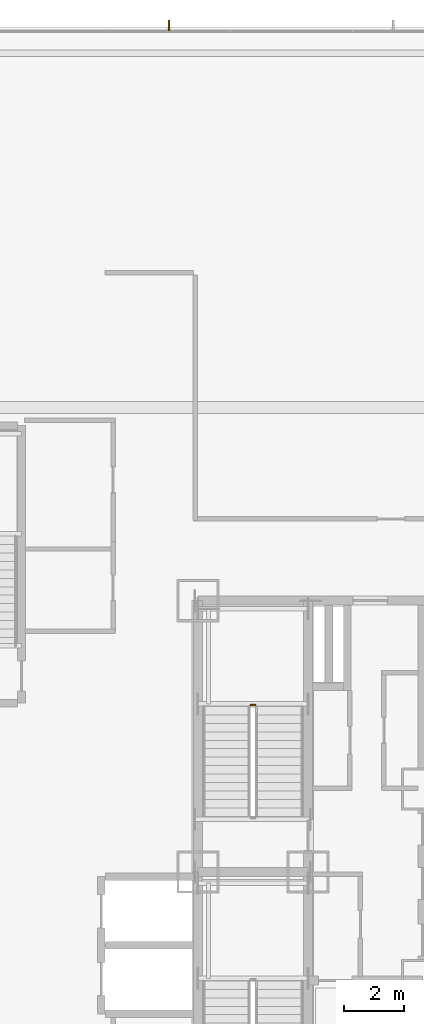
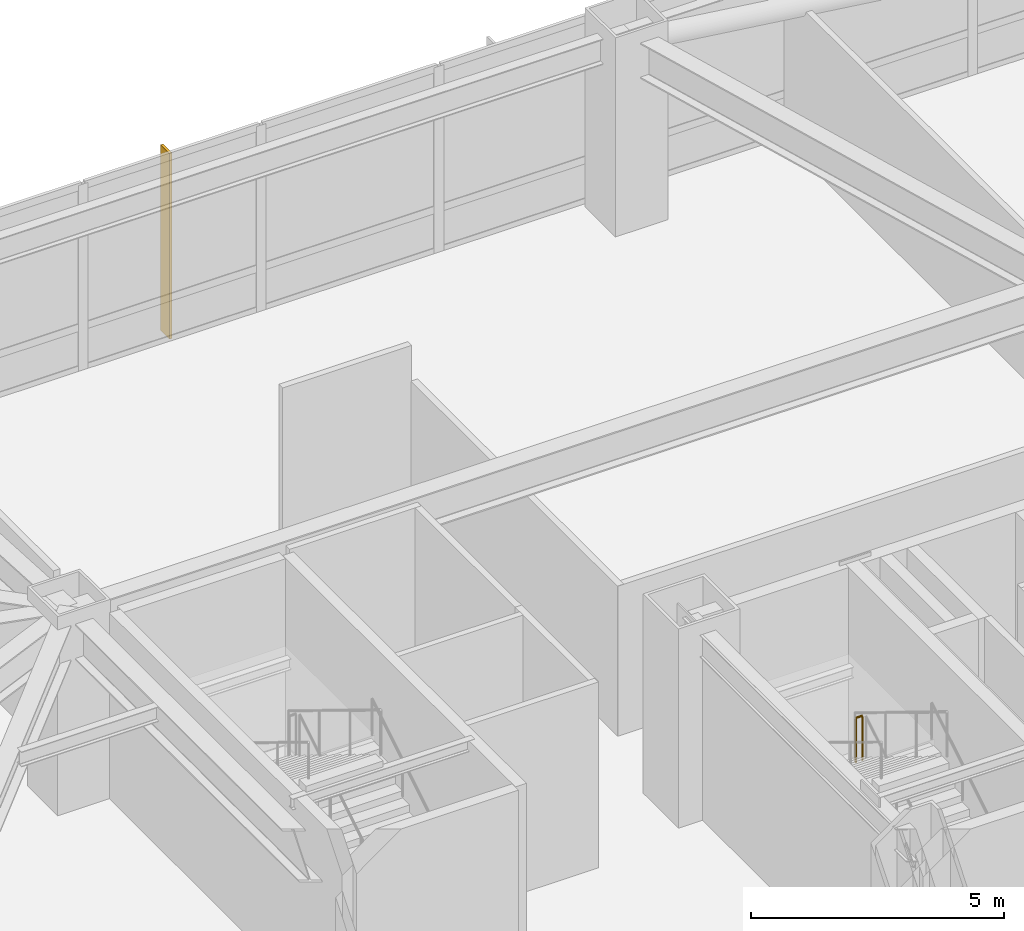
# One storey, part 32 of 33: 1 railing, 1 shading device.
"""IFC4 building model written with IfcOpenShell, lengths in metres."""

from ifc_helpers import new_model, si_unit, direction, frame, origin, origin_2d, place, context, subcontext, project, spatial, rectangle, circle, extrude, material, type_object, element, save


model = new_model("IFC4")

# Units and contexts
model_context = context("Model", 3, precision=1e-05, world=origin(), true_north=direction((0.0, 1.0)))
body_context = subcontext(model_context, "Body", "Model", "MODEL_VIEW")
ifc_project = project(units=[si_unit("LENGTHUNIT", "METRE"), si_unit("AREAUNIT", "SQUARE_METRE"), si_unit("VOLUMEUNIT", "CUBIC_METRE"), si_unit("PLANEANGLEUNIT", "RADIAN"), si_unit("MASSUNIT", "GRAM", prefix="KILO")], contexts=[model_context])

# Site, building, storey
site_placement = place(None, origin())
site = spatial("IfcSite", under=ifc_project, at=site_placement, CompositionType="ELEMENT")
building_placement = place(site_placement, origin())
building = spatial("IfcBuilding", under=site, at=building_placement, Name="Khamvora Tower", CompositionType="ELEMENT")
storey_placement = place(building_placement, frame((0.0, 0.0, 7.199951171875)))
storey = spatial("IfcBuildingStorey", under=building, at=storey_placement, Name="L01", CompositionType="ELEMENT", Elevation=7.199951171875)

# Railing
ifc_material_1 = material(Name="Stainless Steel 316", Category="steel")
railing_type = type_object("IfcRailingType", Name="RAL-STG-1100", PredefinedType="GUARDRAIL", material=ifc_material_1)
railing_placement = place(storey_placement, frame((30.89990234375, 33.5400390625, 2.400146484375)))
element("IfcRailing", 1, at=railing_placement, inside=storey, type_object=railing_type, Name="L01 ST-02 stair guard 2", PredefinedType="GUARDRAIL", context=body_context, shape_type="SweptSolid", body=[
    extrude(circle(Radius=0.02392578125, at=origin_2d()), frame((0.0, 0.0, 1.076171875), z_axis=(-1.0, 0.0, 0.0), x_axis=(0.0, -1.0, 0.0)), (0.0, 0.0, 1.0), 0.14990234375),
    extrude(circle(Radius=0.02099609375, at=origin_2d()), origin(), (0.0, 0.0, 1.0), 1.052001953125),
    extrude(circle(Radius=0.02099609375, at=origin_2d()), frame((-0.14990234375, 0.0, 0.0)), (0.0, 0.0, 1.0), 1.052001953125),
])

# Shading device
ifc_material_2 = material(Name="Anodised Bronze Aluminium 6063-T6", Category="aluminium")
shading_device_type = type_object("IfcShadingDeviceType", Name="SHD-FIN-350", PredefinedType="USERDEFINED", material=ifc_material_2)
shading_device_placement = place(storey_placement, frame((28.0390625, 56.077880859375, 0.0), z_axis=(0.0, 0.0, 1.0), x_axis=(1.0, 0.0, 0.0)))
element("IfcShadingDevice", 2, at=shading_device_placement, inside=storey, type_object=shading_device_type, Name="L01 anodised bronze solar fin 07.03", ObjectType="FIN", PredefinedType="USERDEFINED", context=body_context, shape_type="SweptSolid", body=[
    extrude(rectangle(XDim=0.054931640625, YDim=0.35009765625, at=origin_2d()), origin(), (0.0, 0.0, 1.0), 4.47998046875),
])

save(model, "model.ifc")
